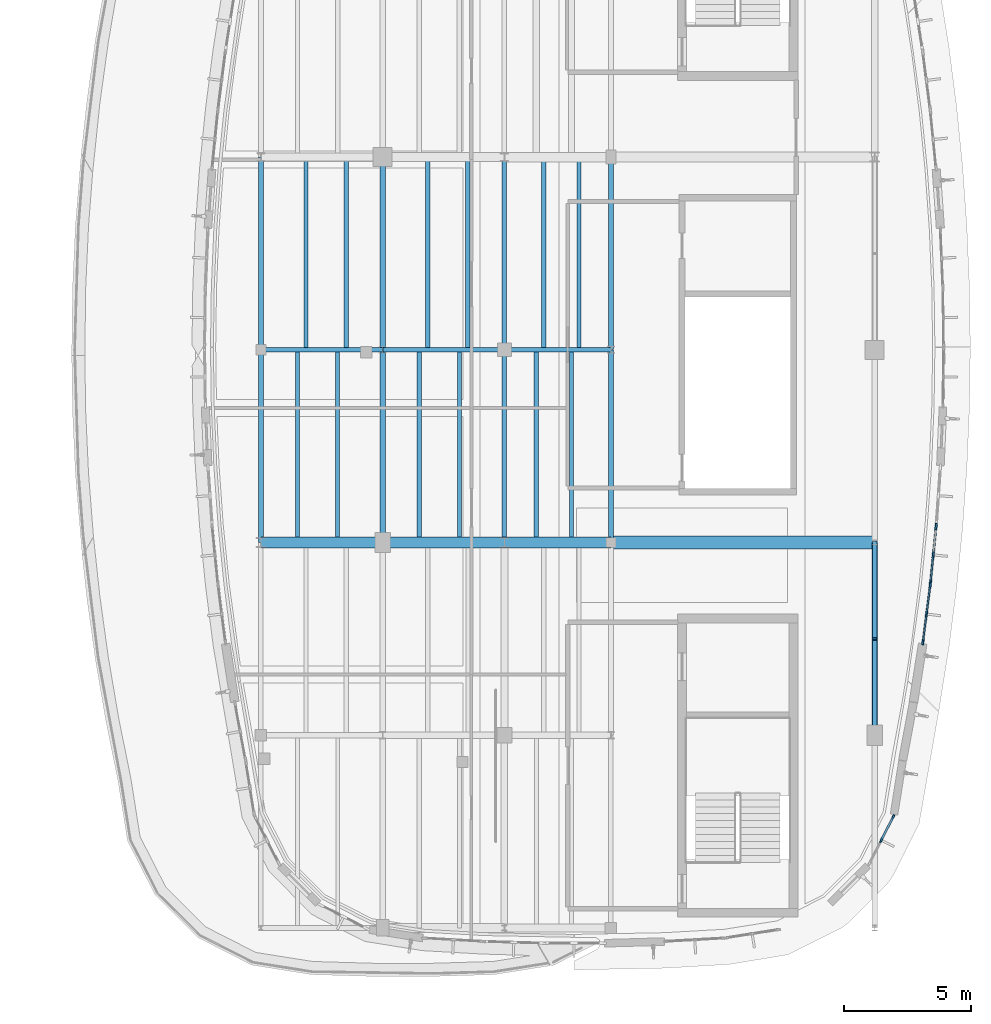
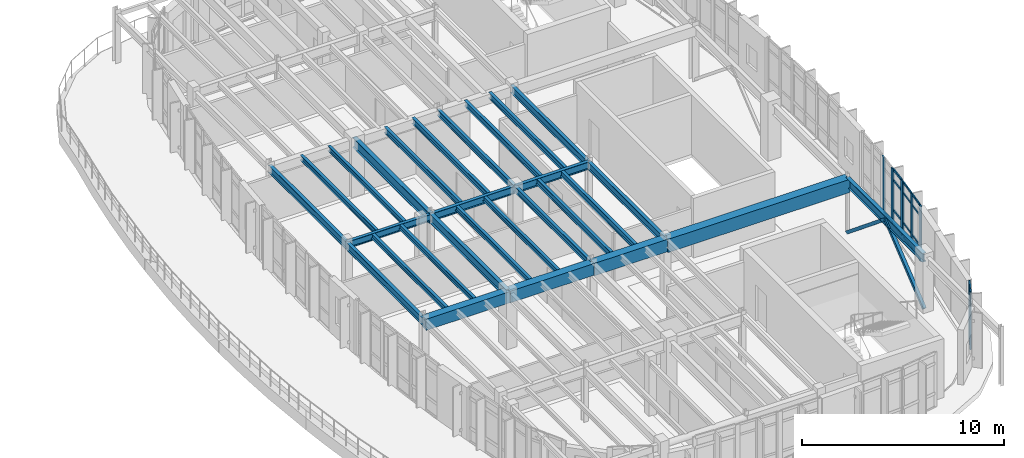
# One storey, part 10 of 30: 28 beams, 27 members, 3 elements without a shape of their own.
"""IFC4 building model written with IfcOpenShell, lengths in metres."""

from ifc_helpers import new_model, si_unit, direction, frame, origin, origin_2d, place, context, subcontext, project, spatial, rectangle, hollow_rectangle, i_section, extrude, material, material_profile, profile_set, type_object, element, aggregate, save


model = new_model("IFC4")

# Units and contexts
model_context = context("Model", 3, precision=1e-05, world=origin(), true_north=direction((0.0, 1.0)))
body_context = subcontext(model_context, "Body", "Model", "MODEL_VIEW")
ifc_project = project(units=[si_unit("LENGTHUNIT", "METRE"), si_unit("AREAUNIT", "SQUARE_METRE"), si_unit("VOLUMEUNIT", "CUBIC_METRE"), si_unit("PLANEANGLEUNIT", "RADIAN"), si_unit("MASSUNIT", "GRAM", prefix="KILO")], contexts=[model_context])

# Site, building, storey
site_placement = place(None, origin())
site = spatial("IfcSite", under=ifc_project, at=site_placement, CompositionType="ELEMENT")
building_placement = place(site_placement, origin())
building = spatial("IfcBuilding", under=site, at=building_placement, Name="Corveleigh Park Community Centre", CompositionType="ELEMENT")
storey_placement = place(building_placement, frame((0.0, 0.0, 12.60009765625)))
storey = spatial("IfcBuildingStorey", under=building, at=storey_placement, Name="L03", CompositionType="ELEMENT", Elevation=12.60009765625)

# Beams
ifc_material_1 = material(Name="Concrete C40/50", Category="concrete")
ifc_material_profile_1 = material_profile(ifc_material_1, rectangle(XDim=0.425048828125, YDim=0.675048828125, at=origin_2d()), Name="RC-425x675", Category="concrete")
ifc_profile_set_1 = profile_set([ifc_material_profile_1], Name="Concrete C40/50")
beam_type_1 = type_object("IfcBeamType", Name="BM-RC-425x675", PredefinedType="BEAM", material=ifc_profile_set_1)
beam_1_placement = place(storey_placement, frame((144.205078125, 73.800048828125, 2.99951171875), z_axis=(1.0, 0.0, 0.0), x_axis=(0.0, 1.0, 0.0)))
element("IfcBeam", 1, at=beam_1_placement, inside=storey, type_object=beam_type_1, Name="V4 Girder X", PredefinedType="BEAM", context=body_context, shape_type="SweptSolid", body=[
    extrude(rectangle(XDim=0.425048828125, YDim=0.675048828125, at=origin_2d()), origin(), (0.0, 0.0, 1.0), 4.7900390625),
])
ifc_material_profile_2 = material_profile(ifc_material_1, rectangle(XDim=0.449951171875, YDim=0.699951171875, at=origin_2d()), Name="RC-450x700", Category="concrete")
ifc_profile_set_2 = profile_set([ifc_material_profile_2], Name="Concrete C40/50")
beam_type_2 = type_object("IfcBeamType", Name="BM-RC-450x700", PredefinedType="BEAM", material=ifc_profile_set_2)
beam_2_placement = place(storey_placement, frame((149.0048828125, 73.800048828125, 3.0068359375), z_axis=(1.0, 0.0, 0.0), x_axis=(0.0, 1.0, 0.0)))
element("IfcBeam", 2, at=beam_2_placement, inside=storey, type_object=beam_type_2, Name="V4 Girder X", PredefinedType="BEAM", context=body_context, shape_type="SweptSolid", body=[
    extrude(rectangle(XDim=0.449951171875, YDim=0.699951171875, at=origin_2d()), origin(), (0.0, 0.0, 1.0), 4.7900390625),
])
ifc_material_profile_3 = material_profile(ifc_material_1, rectangle(XDim=0.449951171875, YDim=0.75, at=origin_2d()), Name="RC-450x750", Category="concrete")
ifc_profile_set_3 = profile_set([ifc_material_profile_3], Name="Concrete C40/50")
beam_type_3 = type_object("IfcBeamType", Name="BM-RC-450x750", PredefinedType="BEAM", material=ifc_profile_set_3)
beam_3_placement = place(storey_placement, frame((153.804931640625, 73.800048828125, 2.98193359375), z_axis=(1.0, 0.0, 0.0), x_axis=(0.0, 1.0, 0.0)))
element("IfcBeam", 3, at=beam_3_placement, inside=storey, type_object=beam_type_3, Name="V4 Girder X", PredefinedType="BEAM", context=body_context, shape_type="SweptSolid", body=[
    extrude(rectangle(XDim=0.449951171875, YDim=0.75, at=origin_2d()), origin(), (0.0, 0.0, 1.0), 4.190185546875),
])
ifc_material_profile_4 = material_profile(ifc_material_1, rectangle(XDim=0.5, YDim=0.800048828125, at=origin_2d()), Name="RC-500x800", Category="concrete")
ifc_profile_set_4 = profile_set([ifc_material_profile_4], Name="Concrete C40/50")
beam_type_4 = type_object("IfcBeamType", Name="BM-RC-500x800", PredefinedType="BEAM", material=ifc_profile_set_4)
beam_4_placement = place(storey_placement, frame((158.0048828125, 73.800048828125, 2.956787109375), z_axis=(1.0, 0.0, 0.0), x_axis=(0.0, 1.0, 0.0)))
element("IfcBeam", 4, at=beam_4_placement, inside=storey, type_object=beam_type_4, Name="V4 Girder X", PredefinedType="BEAM", context=body_context, shape_type="SweptSolid", body=[
    extrude(rectangle(XDim=0.5, YDim=0.800048828125, at=origin_2d()), origin(), (0.0, 0.0, 1.0), 10.39013671875),
])
ifc_material_2 = material(Name="Steel S355", Category="steel")
ifc_material_profile_5 = material_profile(ifc_material_2, i_section(OverallWidth=0.165771484375, OverallDepth=0.306640625, WebThickness=0.006591796875, FlangeThickness=0.01171875, at=origin_2d()), Name="UKB 305x165x46", Category="steel")
ifc_profile_set_5 = profile_set([ifc_material_profile_5], Name="Steel S355")
beam_type_5 = type_object("IfcBeamType", Name="BM-STL-UKB305x46", PredefinedType="JOIST", material=ifc_profile_set_5)
for number, where, z_axis, x_axis, name in (
    (5, (145.639892578125, 73.804931640625, 3.18359375), (0.0, 1.0, 0.0), (-1.0, 0.0, 0.0), "Secondary floor joist"),
    (6, (147.22412109375, 73.804931640625, 3.18359375), (0.0, 1.0, 0.0), (-1.0, 0.0, 0.0), "Secondary floor joist"),
):
    element("IfcBeam", number, at=place(storey_placement, frame(where, z_axis=z_axis, x_axis=x_axis)), inside=storey, type_object=beam_type_5, Name=name, PredefinedType="JOIST", context=body_context, shape_type="SweptSolid", body=[
        extrude(i_section(OverallWidth=0.165771484375, OverallDepth=0.306640625, WebThickness=0.006591796875, FlangeThickness=0.01171875, at=origin_2d()), origin(), (0.0, 0.0, 1.0), 7.590087890625),
    ])
ifc_material_profile_6 = material_profile(ifc_material_2, i_section(OverallWidth=0.1669921875, OverallDepth=0.310302734375, WebThickness=0.0078125, FlangeThickness=0.013671875, at=origin_2d()), Name="UKB 305x165x54", Category="steel")
ifc_profile_set_6 = profile_set([ifc_material_profile_6], Name="Steel S355")
beam_type_6 = type_object("IfcBeamType", Name="BM-STL-UKB305x54", PredefinedType="JOIST", material=ifc_profile_set_6)
for number, where, z_axis, x_axis, name in (
    (7, (145.97607421875, 81.405029296875, 3.181640625), (0.0, 1.0, 0.0), (-1.0, 0.0, 0.0), "Secondary floor joist"),
    (8, (147.56005859375, 81.405029296875, 3.181640625), (0.0, 1.0, 0.0), (-1.0, 0.0, 0.0), "Secondary floor joist"),
    (9, (150.43994140625, 73.804931640625, 3.20166015625), (0.0, 1.0, 0.0), (-1.0, 0.0, 0.0), "Secondary floor joist"),
    (10, (152.02392578125, 73.804931640625, 3.20166015625), (0.0, 1.0, 0.0), (-1.0, 0.0, 0.0), "Secondary floor joist"),
):
    element("IfcBeam", number, at=place(storey_placement, frame(where, z_axis=z_axis, x_axis=x_axis)), inside=storey, type_object=beam_type_6, Name=name, PredefinedType="JOIST", context=body_context, shape_type="SweptSolid", body=[
        extrude(i_section(OverallWidth=0.1669921875, OverallDepth=0.310302734375, WebThickness=0.0078125, FlangeThickness=0.013671875, at=origin_2d()), origin(), (0.0, 0.0, 1.0), 7.590087890625),
    ])
ifc_material_profile_7 = material_profile(ifc_material_2, i_section(OverallWidth=0.171142578125, OverallDepth=0.351318359375, WebThickness=0.007080078125, FlangeThickness=0.009765625, at=origin_2d()), Name="UKB 356x171x45", Category="steel")
ifc_profile_set_7 = profile_set([ifc_material_profile_7], Name="Steel S355")
beam_type_7 = type_object("IfcBeamType", Name="BM-STL-UKB356x45", PredefinedType="JOIST", material=ifc_profile_set_7)
for number, where, z_axis, x_axis, name in (
    (11, (150.77587890625, 81.405029296875, 3.18115234375), (0.0, 1.0, 0.0), (-1.0, 0.0, 0.0), "Secondary floor joist"),
    (12, (152.360107421875, 81.405029296875, 3.18115234375), (0.0, 1.0, 0.0), (-1.0, 0.0, 0.0), "Secondary floor joist"),
    (13, (155.06005859375, 73.804931640625, 3.18115234375), (0.0, 1.0, 0.0), (-1.0, 0.0, 0.0), "Secondary floor joist"),
    (14, (156.446044921875, 73.804931640625, 3.18115234375), (0.0, 1.0, 0.0), (-1.0, 0.0, 0.0), "Secondary floor joist"),
):
    element("IfcBeam", number, at=place(storey_placement, frame(where, z_axis=z_axis, x_axis=x_axis)), inside=storey, type_object=beam_type_7, Name=name, PredefinedType="JOIST", context=body_context, shape_type="SweptSolid", body=[
        extrude(i_section(OverallWidth=0.171142578125, OverallDepth=0.351318359375, WebThickness=0.007080078125, FlangeThickness=0.009765625, at=origin_2d()), origin(), (0.0, 0.0, 1.0), 7.590087890625),
    ])
ifc_material_profile_8 = material_profile(ifc_material_2, i_section(OverallWidth=0.17138671875, OverallDepth=0.35498046875, WebThickness=0.00732421875, FlangeThickness=0.011474609375, at=origin_2d()), Name="UKB 356x171x51", Category="steel")
ifc_profile_set_8 = profile_set([ifc_material_profile_8], Name="Steel S355")
beam_type_8 = type_object("IfcBeamType", Name="BM-STL-UKB356x51", PredefinedType="JOIST", material=ifc_profile_set_8)
for number, where, z_axis, x_axis, name in (
    (15, (155.35400390625, 81.405029296875, 3.179443359375), (0.0, 1.0, 0.0), (-1.0, 0.0, 0.0), "Secondary floor joist"),
    (16, (156.739990234375, 81.405029296875, 3.179443359375), (0.0, 1.0, 0.0), (-1.0, 0.0, 0.0), "Secondary floor joist"),
):
    element("IfcBeam", number, at=place(storey_placement, frame(where, z_axis=z_axis, x_axis=x_axis)), inside=storey, type_object=beam_type_8, Name=name, PredefinedType="JOIST", context=body_context, shape_type="SweptSolid", body=[
        extrude(i_section(OverallWidth=0.17138671875, OverallDepth=0.35498046875, WebThickness=0.00732421875, FlangeThickness=0.011474609375, at=origin_2d()), origin(), (0.0, 0.0, 1.0), 7.590087890625),
    ])
ifc_material_profile_9 = material_profile(ifc_material_2, i_section(OverallWidth=0.172119140625, OverallDepth=0.35791015625, WebThickness=0.008056640625, FlangeThickness=0.012939453125, at=origin_2d()), Name="UKB 356x171x57", Category="steel")
ifc_profile_set_9 = profile_set([ifc_material_profile_9], Name="Steel S355")
beam_type_9 = type_object("IfcBeamType", Name="BM-STL-UKB356x57", PredefinedType="BEAM", material=ifc_profile_set_9)
beam_5_placement = place(storey_placement, frame((153.800048828125, 73.804931640625, 3.177978515625), z_axis=(0.0, 1.0, 0.0), x_axis=(-1.0, 0.0, 0.0)))
element("IfcBeam", 17, at=beam_5_placement, inside=storey, type_object=beam_type_9, Name="V4 Girder Y", PredefinedType="BEAM", context=body_context, shape_type="SweptSolid", body=[
    extrude(i_section(OverallWidth=0.172119140625, OverallDepth=0.35791015625, WebThickness=0.008056640625, FlangeThickness=0.012939453125, at=origin_2d()), origin(), (0.0, 0.0, 1.0), 7.590087890625),
])
ifc_material_profile_10 = material_profile(ifc_material_2, i_section(OverallWidth=0.173095703125, OverallDepth=0.36328125, WebThickness=0.009033203125, FlangeThickness=0.015625, at=origin_2d()), Name="UKB 356x171x67", Category="steel")
ifc_profile_set_10 = profile_set([ifc_material_profile_10], Name="Steel S355")
beam_type_10 = type_object("IfcBeamType", Name="BM-STL-UKB356x67", PredefinedType="BEAM", material=ifc_profile_set_10)
beam_6_placement = place(storey_placement, frame((153.800048828125, 81.405029296875, 3.17529296875), z_axis=(0.0, 1.0, 0.0), x_axis=(-1.0, 0.0, 0.0)))
element("IfcBeam", 18, at=beam_6_placement, inside=storey, type_object=beam_type_10, Name="V4 Girder Y", PredefinedType="BEAM", context=body_context, shape_type="SweptSolid", body=[
    extrude(i_section(OverallWidth=0.173095703125, OverallDepth=0.36328125, WebThickness=0.009033203125, FlangeThickness=0.015625, at=origin_2d()), origin(), (0.0, 0.0, 1.0), 7.590087890625),
])
ifc_material_profile_11 = material_profile(ifc_material_2, i_section(OverallWidth=0.179443359375, OverallDepth=0.412841796875, WebThickness=0.009521484375, FlangeThickness=0.01611328125, at=origin_2d()), Name="UKB 406x178x74", Category="steel")
ifc_profile_set_11 = profile_set([ifc_material_profile_11], Name="Steel S355")
beam_type_11 = type_object("IfcBeamType", Name="BM-STL-UKB406x74", PredefinedType="BEAM", material=ifc_profile_set_11)
beam_7_placement = place(storey_placement, frame((144.205078125, 81.39990234375, 3.130615234375), z_axis=(1.0, 0.0, 0.0), x_axis=(0.0, 1.0, 0.0)))
element("IfcBeam", 19, at=beam_7_placement, inside=storey, type_object=beam_type_11, Name="V4 Girder X", PredefinedType="BEAM", context=body_context, shape_type="SweptSolid", body=[
    extrude(i_section(OverallWidth=0.179443359375, OverallDepth=0.412841796875, WebThickness=0.009521484375, FlangeThickness=0.01611328125, at=origin_2d()), origin(), (0.0, 0.0, 1.0), 4.7900390625),
])
ifc_material_profile_12 = material_profile(ifc_material_2, i_section(OverallWidth=0.18994140625, OverallDepth=0.453369140625, WebThickness=0.008544921875, FlangeThickness=0.0126953125, at=origin_2d()), Name="UKB 457x191x67", Category="steel")
ifc_profile_set_12 = profile_set([ifc_material_profile_12], Name="Steel S355")
beam_type_12 = type_object("IfcBeamType", Name="BM-STL-UKB457x67", PredefinedType="BEAM", material=ifc_profile_set_12)
beam_8_placement = place(storey_placement, frame((149.0048828125, 81.39990234375, 3.130126953125), z_axis=(1.0, 0.0, 0.0), x_axis=(0.0, 1.0, 0.0)))
element("IfcBeam", 20, at=beam_8_placement, inside=storey, type_object=beam_type_12, Name="V4 Girder X", PredefinedType="BEAM", context=body_context, shape_type="SweptSolid", body=[
    extrude(i_section(OverallWidth=0.18994140625, OverallDepth=0.453369140625, WebThickness=0.008544921875, FlangeThickness=0.0126953125, at=origin_2d()), origin(), (0.0, 0.0, 1.0), 4.7900390625),
])
beam_9_placement = place(storey_placement, frame((144.199951171875, 73.804931640625, 3.110107421875), z_axis=(0.0, 1.0, 0.0), x_axis=(-1.0, 0.0, 0.0)))
element("IfcBeam", 21, at=beam_9_placement, inside=storey, type_object=beam_type_12, Name="V4 Girder Y", PredefinedType="BEAM", context=body_context, shape_type="SweptSolid", body=[
    extrude(i_section(OverallWidth=0.18994140625, OverallDepth=0.453369140625, WebThickness=0.008544921875, FlangeThickness=0.0126953125, at=origin_2d()), origin(), (0.0, 0.0, 1.0), 7.590087890625),
])
ifc_material_profile_13 = material_profile(ifc_material_2, i_section(OverallWidth=0.1904296875, OverallDepth=0.45703125, WebThickness=0.009033203125, FlangeThickness=0.014404296875, at=origin_2d()), Name="UKB 457x191x74", Category="steel")
ifc_profile_set_13 = profile_set([ifc_material_profile_13], Name="Steel S355")
beam_type_13 = type_object("IfcBeamType", Name="BM-STL-UKB457x74", PredefinedType="BEAM", material=ifc_profile_set_13)
beam_10_placement = place(storey_placement, frame((153.804931640625, 81.39990234375, 3.12841796875), z_axis=(1.0, 0.0, 0.0), x_axis=(0.0, 1.0, 0.0)))
element("IfcBeam", 22, at=beam_10_placement, inside=storey, type_object=beam_type_13, Name="V4 Girder X", PredefinedType="BEAM", context=body_context, shape_type="SweptSolid", body=[
    extrude(i_section(OverallWidth=0.1904296875, OverallDepth=0.45703125, WebThickness=0.009033203125, FlangeThickness=0.014404296875, at=origin_2d()), origin(), (0.0, 0.0, 1.0), 4.190185546875),
])
for number, where, z_axis, x_axis, name in (
    (23, (144.199951171875, 81.405029296875, 3.1083984375), (0.0, 1.0, 0.0), (-1.0, 0.0, 0.0), "V4 Girder Y"),
    (24, (158.0, 73.804931640625, 3.12841796875), (0.0, 1.0, 0.0), (-1.0, 0.0, 0.0), "V4 Girder Y"),
):
    element("IfcBeam", number, at=place(storey_placement, frame(where, z_axis=z_axis, x_axis=x_axis)), inside=storey, type_object=beam_type_13, Name=name, PredefinedType="BEAM", context=body_context, shape_type="SweptSolid", body=[
        extrude(i_section(OverallWidth=0.1904296875, OverallDepth=0.45703125, WebThickness=0.009033203125, FlangeThickness=0.014404296875, at=origin_2d()), origin(), (0.0, 0.0, 1.0), 7.590087890625),
    ])
ifc_material_profile_14 = material_profile(ifc_material_2, i_section(OverallWidth=0.19140625, OverallDepth=0.4599609375, WebThickness=0.010009765625, FlangeThickness=0.01611328125, at=origin_2d()), Name="UKB 457x191x82", Category="steel")
ifc_profile_set_14 = profile_set([ifc_material_profile_14], Name="Steel S355")
beam_type_14 = type_object("IfcBeamType", Name="BM-STL-UKB457x82", PredefinedType="BEAM", material=ifc_profile_set_14)
beam_11_placement = place(storey_placement, frame((158.0, 81.405029296875, 3.126953125), z_axis=(0.0, 1.0, 0.0), x_axis=(-1.0, 0.0, 0.0)))
element("IfcBeam", 25, at=beam_11_placement, inside=storey, type_object=beam_type_14, Name="V4 Girder Y", PredefinedType="BEAM", context=body_context, shape_type="SweptSolid", body=[
    extrude(i_section(OverallWidth=0.19140625, OverallDepth=0.4599609375, WebThickness=0.010009765625, FlangeThickness=0.01611328125, at=origin_2d()), origin(), (0.0, 0.0, 1.0), 7.590087890625),
])
ifc_material_profile_15 = material_profile(ifc_material_2, i_section(OverallWidth=0.210693359375, OverallDepth=0.53955078125, WebThickness=0.01171875, FlangeThickness=0.018798828125, at=origin_2d()), Name="UKB 533x210x109", Category="steel")
ifc_profile_set_15 = profile_set([ifc_material_profile_15], Name="Steel S355")
beam_type_15 = type_object("IfcBeamType", Name="BM-STL-UKB533x109", PredefinedType="BEAM", material=ifc_profile_set_15)
beam_12_placement = place(storey_placement, frame((149.0, 73.804931640625, 3.087158203125), z_axis=(0.0, 1.0, 0.0), x_axis=(-1.0, 0.0, 0.0)))
element("IfcBeam", 26, at=beam_12_placement, inside=storey, type_object=beam_type_15, Name="V4 Girder Y", PredefinedType="BEAM", context=body_context, shape_type="SweptSolid", body=[
    extrude(i_section(OverallWidth=0.210693359375, OverallDepth=0.53955078125, WebThickness=0.01171875, FlangeThickness=0.018798828125, at=origin_2d()), origin(), (0.0, 0.0, 1.0), 7.590087890625),
])
beam_13_placement = place(storey_placement, frame((168.39990234375, 66.205078125, 3.087158203125), z_axis=(0.0, 1.0, 0.0), x_axis=(-1.0, 0.0, 0.0)))
element("IfcBeam", 27, at=beam_13_placement, inside=storey, type_object=beam_type_15, Name="V4 Girder Y", PredefinedType="BEAM", context=body_context, shape_type="SweptSolid", body=[
    extrude(i_section(OverallWidth=0.210693359375, OverallDepth=0.53955078125, WebThickness=0.01171875, FlangeThickness=0.018798828125, at=origin_2d()), origin(), (0.0, 0.0, 1.0), 7.58984375),
])
ifc_material_profile_16 = material_profile(ifc_material_2, i_section(OverallWidth=0.228271484375, OverallDepth=0.607666015625, WebThickness=0.010986328125, FlangeThickness=0.017333984375, at=origin_2d()), Name="UKB 610x229x113", Category="steel")
ifc_profile_set_16 = profile_set([ifc_material_profile_16], Name="Steel S355")
beam_type_16 = type_object("IfcBeamType", Name="BM-STL-UKB610x113", PredefinedType="BEAM", material=ifc_profile_set_16)
beam_14_placement = place(storey_placement, frame((149.0, 81.405029296875, 3.05322265625), z_axis=(0.0, 1.0, 0.0), x_axis=(-1.0, 0.0, 0.0)))
element("IfcBeam", 28, at=beam_14_placement, inside=storey, type_object=beam_type_16, Name="V4 Girder Y", PredefinedType="BEAM", context=body_context, shape_type="SweptSolid", body=[
    extrude(i_section(OverallWidth=0.228271484375, OverallDepth=0.607666015625, WebThickness=0.010986328125, FlangeThickness=0.017333984375, at=origin_2d()), origin(), (0.0, 0.0, 1.0), 7.590087890625),
])

# Curtain wall, members
ifc_material_3 = material(Name="Anodised aluminium 6063-T6", Category="aluminium")
curtain_wall_type = type_object("IfcCurtainWallType", Name="CW-SYS-V4-L03", PredefinedType="NOTDEFINED", material=ifc_material_3)
curtain_wall_1_placement = place(storey_placement, origin())
curtain_wall_1 = element("IfcCurtainWall", 29, at=curtain_wall_1_placement, inside=storey, type_object=curtain_wall_type, Name="V4 L03 Curtain Wall 405", PredefinedType="NOTDEFINED")
ifc_material_profile_17 = material_profile(ifc_material_3, rectangle(XDim=0.070068359375, YDim=0.199951171875, at=origin_2d()), Name="ALU-M70x200", Category="aluminium")
ifc_profile_set_17 = profile_set([ifc_material_profile_17], Name="Anodised aluminium 6063-T6")
member_type_1 = type_object("IfcMemberType", Name="CWM-70x200", PredefinedType="MULLION", material=ifc_profile_set_17)
member_1_placement = place(storey_placement, frame((169.1240234375, 62.971923828125, 0.0), z_axis=(0.0, 0.0, 1.0), x_axis=(0.890898639119, -0.454202173945, 0.0)))
member_1 = element("IfcMember", 30, at=member_1_placement, type_object=member_type_1, Name="CW09 mullion 1", PredefinedType="MULLION", context=body_context, shape_type="SweptSolid", body=[
    extrude(rectangle(XDim=0.070068359375, YDim=0.199951171875, at=origin_2d()), origin(), (0.0, 0.0, 1.0), 3.35693359375),
])
member_2_placement = place(storey_placement, frame((168.659912109375, 62.0615234375, 0.0), z_axis=(0.0, 0.0, 1.0), x_axis=(0.890898639119, -0.454202173945, 0.0)))
member_2 = element("IfcMember", 31, at=member_2_placement, type_object=member_type_1, Name="CW09 mullion 2", PredefinedType="MULLION", context=body_context, shape_type="SweptSolid", body=[
    extrude(rectangle(XDim=0.070068359375, YDim=0.199951171875, at=origin_2d()), origin(), (0.0, 0.0, 1.0), 3.35693359375),
])

curtain_wall_2_placement = place(storey_placement, origin())
curtain_wall_2 = element("IfcCurtainWall", 32, at=curtain_wall_2_placement, inside=storey, type_object=curtain_wall_type, Name="V4 L03 Curtain Wall 406", PredefinedType="NOTDEFINED")
ifc_material_profile_18 = material_profile(ifc_material_3, rectangle(XDim=0.074951171875, YDim=0.219970703125, at=origin_2d()), Name="ALU-M75x220", Category="aluminium")
ifc_profile_set_18 = profile_set([ifc_material_profile_18], Name="Anodised aluminium 6063-T6")
member_type_2 = type_object("IfcMemberType", Name="CWM-75x220", PredefinedType="MULLION", material=ifc_profile_set_18)
member_3_placement = place(storey_placement, frame((170.587158203125, 72.097900390625, 0.0), z_axis=(0.0, 0.0, 1.0), x_axis=(0.991869145489, -0.127261927639, 0.0)))
member_3 = element("IfcMember", 33, at=member_3_placement, type_object=member_type_2, Name="CW09 mullion 1", PredefinedType="MULLION", context=body_context, shape_type="SweptSolid", body=[
    extrude(rectangle(XDim=0.074951171875, YDim=0.219970703125, at=origin_2d()), origin(), (0.0, 0.0, 1.0), 3.35693359375),
])
member_4_placement = place(storey_placement, frame((170.444091796875, 70.9814453125, 0.0), z_axis=(0.0, 0.0, 1.0), x_axis=(0.991869145489, -0.127261927639, 0.0)))
member_4 = element("IfcMember", 34, at=member_4_placement, type_object=member_type_2, Name="CW09 mullion 2", PredefinedType="MULLION", context=body_context, shape_type="SweptSolid", body=[
    extrude(rectangle(XDim=0.074951171875, YDim=0.219970703125, at=origin_2d()), origin(), (0.0, 0.0, 1.0), 3.35693359375),
])
member_5_placement = place(storey_placement, frame((170.30078125, 69.865234375, 0.0), z_axis=(0.0, 0.0, 1.0), x_axis=(0.991869145489, -0.127261927639, 0.0)))
member_5 = element("IfcMember", 35, at=member_5_placement, type_object=member_type_2, Name="CW09 mullion 3", PredefinedType="MULLION", context=body_context, shape_type="SweptSolid", body=[
    extrude(rectangle(XDim=0.074951171875, YDim=0.219970703125, at=origin_2d()), origin(), (0.0, 0.0, 1.0), 3.35693359375),
])

curtain_wall_3_placement = place(storey_placement, origin())
curtain_wall_3 = element("IfcCurtainWall", 36, at=curtain_wall_3_placement, inside=storey, type_object=curtain_wall_type, Name="V4 L03 Curtain Wall 407", PredefinedType="NOTDEFINED")
ifc_material_profile_19 = material_profile(ifc_material_3, rectangle(XDim=0.080078125, YDim=0.25, at=origin_2d()), Name="ALU-M80x250", Category="aluminium")
ifc_profile_set_19 = profile_set([ifc_material_profile_19], Name="Anodised aluminium 6063-T6")
member_type_3 = type_object("IfcMemberType", Name="CWM-80x250", PredefinedType="MULLION", material=ifc_profile_set_19)
member_6_placement = place(storey_placement, frame((170.821044921875, 74.42822265625, 0.0), z_axis=(0.0, 0.0, 1.0), x_axis=(0.995058446213, -0.09929092919, 0.0)))
member_6 = element("IfcMember", 37, at=member_6_placement, type_object=member_type_3, Name="CW09 mullion 1", PredefinedType="MULLION", context=body_context, shape_type="SweptSolid", body=[
    extrude(rectangle(XDim=0.080078125, YDim=0.25, at=origin_2d()), origin(), (0.0, 0.0, 1.0), 3.35693359375),
])
member_7_placement = place(storey_placement, frame((170.70947265625, 73.310546875, 0.0), z_axis=(0.0, 0.0, 1.0), x_axis=(0.995058446213, -0.09929092919, 0.0)))
member_7 = element("IfcMember", 38, at=member_7_placement, type_object=member_type_3, Name="CW09 mullion 2", PredefinedType="MULLION", context=body_context, shape_type="SweptSolid", body=[
    extrude(rectangle(XDim=0.080078125, YDim=0.25, at=origin_2d()), origin(), (0.0, 0.0, 1.0), 3.35693359375),
])
member_8_placement = place(storey_placement, frame((170.597900390625, 72.19287109375, 0.0), z_axis=(0.0, 0.0, 1.0), x_axis=(0.995058446213, -0.09929092919, 0.0)))
member_8 = element("IfcMember", 39, at=member_8_placement, type_object=member_type_3, Name="CW09 mullion 3", PredefinedType="MULLION", context=body_context, shape_type="SweptSolid", body=[
    extrude(rectangle(XDim=0.080078125, YDim=0.25, at=origin_2d()), origin(), (0.0, 0.0, 1.0), 3.35693359375),
])

# Member
ifc_material_profile_20 = material_profile(ifc_material_3, rectangle(XDim=0.06005859375, YDim=0.1201171875, at=origin_2d()), Name="ALU-T60x120", Category="aluminium")
ifc_profile_set_20 = profile_set([ifc_material_profile_20], Name="Anodised aluminium 6063-T6")
member_type_4 = type_object("IfcMemberType", Name="CWT-60x120", PredefinedType="USERDEFINED", material=ifc_profile_set_20)
member_9_placement = place(storey_placement, frame((170.58251953125, 72.060546875, 0.02978515625), z_axis=(-0.127381274042, -0.991853825432, 0.0), x_axis=(0.991853825432, -0.127381274042, 0.0)))
member_9 = element("IfcMember", 40, at=member_9_placement, type_object=member_type_4, Name="CW09 transom 1.1", ObjectType="TRANSOM", PredefinedType="USERDEFINED", context=body_context, shape_type="SweptSolid", body=[
    extrude(rectangle(XDim=0.06005859375, YDim=0.1201171875, at=origin_2d()), origin(), (0.0, 0.0, 1.0), 1.05029296875),
])

member_10_placement = place(storey_placement, frame((170.58251953125, 72.060546875, 0.89990234375), z_axis=(-0.127381274042, -0.991853825432, 0.0), x_axis=(0.991853825432, -0.127381274042, 0.0)))
member_10 = element("IfcMember", 41, at=member_10_placement, type_object=member_type_4, Name="CW09 transom 1.2", ObjectType="TRANSOM", PredefinedType="USERDEFINED", context=body_context, shape_type="SweptSolid", body=[
    extrude(rectangle(XDim=0.06005859375, YDim=0.1201171875, at=origin_2d()), origin(), (0.0, 0.0, 1.0), 1.05029296875),
])

member_11_placement = place(storey_placement, frame((170.58251953125, 72.060546875, 2.706787109375), z_axis=(-0.127381274042, -0.991853825432, 0.0), x_axis=(0.991853825432, -0.127381274042, 0.0)))
member_11 = element("IfcMember", 42, at=member_11_placement, type_object=member_type_4, Name="CW09 transom 1.3", ObjectType="TRANSOM", PredefinedType="USERDEFINED", context=body_context, shape_type="SweptSolid", body=[
    extrude(rectangle(XDim=0.06005859375, YDim=0.1201171875, at=origin_2d()), origin(), (0.0, 0.0, 1.0), 1.05029296875),
])

member_12_placement = place(storey_placement, frame((170.58251953125, 72.060546875, 3.326904296875), z_axis=(-0.127381274042, -0.991853825432, 0.0), x_axis=(0.991853825432, -0.127381274042, 0.0)))
member_12 = element("IfcMember", 43, at=member_12_placement, type_object=member_type_4, Name="CW09 transom 1.4", ObjectType="TRANSOM", PredefinedType="USERDEFINED", context=body_context, shape_type="SweptSolid", body=[
    extrude(rectangle(XDim=0.06005859375, YDim=0.1201171875, at=origin_2d()), origin(), (0.0, 0.0, 1.0), 1.05029296875),
])

member_13_placement = place(storey_placement, frame((170.439208984375, 70.9443359375, 0.02978515625), z_axis=(-0.12712327743, -0.991886925176, 0.0), x_axis=(0.991886925176, -0.12712327743, 0.0)))
member_13 = element("IfcMember", 44, at=member_13_placement, type_object=member_type_4, Name="CW09 transom 2.1", ObjectType="TRANSOM", PredefinedType="USERDEFINED", context=body_context, shape_type="SweptSolid", body=[
    extrude(rectangle(XDim=0.06005859375, YDim=0.1201171875, at=origin_2d()), origin(), (0.0, 0.0, 1.0), 1.050537109375),
])

member_14_placement = place(storey_placement, frame((170.439208984375, 70.9443359375, 0.89990234375), z_axis=(-0.12712327743, -0.991886925176, 0.0), x_axis=(0.991886925176, -0.12712327743, 0.0)))
member_14 = element("IfcMember", 45, at=member_14_placement, type_object=member_type_4, Name="CW09 transom 2.2", ObjectType="TRANSOM", PredefinedType="USERDEFINED", context=body_context, shape_type="SweptSolid", body=[
    extrude(rectangle(XDim=0.06005859375, YDim=0.1201171875, at=origin_2d()), origin(), (0.0, 0.0, 1.0), 1.050537109375),
])

member_15_placement = place(storey_placement, frame((170.439208984375, 70.9443359375, 2.706787109375), z_axis=(-0.12712327743, -0.991886925176, 0.0), x_axis=(0.991886925176, -0.12712327743, 0.0)))
member_15 = element("IfcMember", 46, at=member_15_placement, type_object=member_type_4, Name="CW09 transom 2.3", ObjectType="TRANSOM", PredefinedType="USERDEFINED", context=body_context, shape_type="SweptSolid", body=[
    extrude(rectangle(XDim=0.06005859375, YDim=0.1201171875, at=origin_2d()), origin(), (0.0, 0.0, 1.0), 1.050537109375),
])

member_16_placement = place(storey_placement, frame((170.439208984375, 70.9443359375, 3.326904296875), z_axis=(-0.12712327743, -0.991886925176, 0.0), x_axis=(0.991886925176, -0.12712327743, 0.0)))
member_16 = element("IfcMember", 47, at=member_16_placement, type_object=member_type_4, Name="CW09 transom 2.4", ObjectType="TRANSOM", PredefinedType="USERDEFINED", context=body_context, shape_type="SweptSolid", body=[
    extrude(rectangle(XDim=0.06005859375, YDim=0.1201171875, at=origin_2d()), origin(), (0.0, 0.0, 1.0), 1.050537109375),
])

aggregate(curtain_wall_2, [member_3, member_4, member_5, member_9, member_10, member_11, member_12, member_13, member_14, member_15, member_16])

ifc_material_profile_21 = material_profile(ifc_material_3, rectangle(XDim=0.06494140625, YDim=0.139892578125, at=origin_2d()), Name="ALU-T65x140", Category="aluminium")
ifc_profile_set_21 = profile_set([ifc_material_profile_21], Name="Anodised aluminium 6063-T6")
member_type_5 = type_object("IfcMemberType", Name="CWT-65x140", PredefinedType="USERDEFINED", material=ifc_profile_set_21)
member_17_placement = place(storey_placement, frame((170.817138671875, 74.388427734375, 0.032470703125), z_axis=(-0.099457378841, -0.995041823138, 0.0), x_axis=(0.995041823138, -0.099457378841, 0.0)))
member_17 = element("IfcMember", 48, at=member_17_placement, type_object=member_type_5, Name="CW09 transom 1.1", ObjectType="TRANSOM", PredefinedType="USERDEFINED", context=body_context, shape_type="SweptSolid", body=[
    extrude(rectangle(XDim=0.06494140625, YDim=0.139892578125, at=origin_2d()), origin(), (0.0, 0.0, 1.0), 1.043212890625),
])

member_18_placement = place(storey_placement, frame((170.70556640625, 73.270751953125, 0.032470703125), z_axis=(-0.099225668242, -0.995064956052, 0.0), x_axis=(0.995064956052, -0.099225668242, 0.0)))
member_18 = element("IfcMember", 49, at=member_18_placement, type_object=member_type_5, Name="CW09 transom 2.1", ObjectType="TRANSOM", PredefinedType="USERDEFINED", context=body_context, shape_type="SweptSolid", body=[
    extrude(rectangle(XDim=0.06494140625, YDim=0.139892578125, at=origin_2d()), origin(), (0.0, 0.0, 1.0), 1.043212890625),
])

member_19_placement = place(storey_placement, frame((170.70556640625, 73.270751953125, 0.89990234375), z_axis=(-0.099225668242, -0.995064956052, 0.0), x_axis=(0.995064956052, -0.099225668242, 0.0)))
member_19 = element("IfcMember", 50, at=member_19_placement, type_object=member_type_5, Name="CW09 transom 2.2", ObjectType="TRANSOM", PredefinedType="USERDEFINED", context=body_context, shape_type="SweptSolid", body=[
    extrude(rectangle(XDim=0.06494140625, YDim=0.139892578125, at=origin_2d()), origin(), (0.0, 0.0, 1.0), 1.043212890625),
])

member_20_placement = place(storey_placement, frame((170.70556640625, 73.270751953125, 2.706787109375), z_axis=(-0.099225668242, -0.995064956052, 0.0), x_axis=(0.995064956052, -0.099225668242, 0.0)))
member_20 = element("IfcMember", 51, at=member_20_placement, type_object=member_type_5, Name="CW09 transom 2.3", ObjectType="TRANSOM", PredefinedType="USERDEFINED", context=body_context, shape_type="SweptSolid", body=[
    extrude(rectangle(XDim=0.06494140625, YDim=0.139892578125, at=origin_2d()), origin(), (0.0, 0.0, 1.0), 1.043212890625),
])

member_21_placement = place(storey_placement, frame((170.70556640625, 73.270751953125, 3.324462890625), z_axis=(-0.099225668242, -0.995064956052, 0.0), x_axis=(0.995064956052, -0.099225668242, 0.0)))
member_21 = element("IfcMember", 52, at=member_21_placement, type_object=member_type_5, Name="CW09 transom 2.4", ObjectType="TRANSOM", PredefinedType="USERDEFINED", context=body_context, shape_type="SweptSolid", body=[
    extrude(rectangle(XDim=0.06494140625, YDim=0.139892578125, at=origin_2d()), origin(), (0.0, 0.0, 1.0), 1.043212890625),
])

aggregate(curtain_wall_3, [member_6, member_7, member_8, member_17, member_18, member_19, member_20, member_21])

ifc_material_profile_22 = material_profile(ifc_material_3, rectangle(XDim=0.080078125, YDim=0.195068359375, at=origin_2d()), Name="ALU-T80x195", Category="aluminium")
ifc_profile_set_22 = profile_set([ifc_material_profile_22], Name="Anodised aluminium 6063-T6")
member_type_6 = type_object("IfcMemberType", Name="CWT-80x195", PredefinedType="USERDEFINED", material=ifc_profile_set_22)
member_22_placement = place(storey_placement, frame((169.108154296875, 62.940673828125, 0.039794921875), z_axis=(-0.454279262625, -0.8908593332, 0.0), x_axis=(0.8908593332, -0.454279262625, 0.0)))
member_22 = element("IfcMember", 53, at=member_22_placement, type_object=member_type_6, Name="CW09 transom 1.1", ObjectType="TRANSOM", PredefinedType="USERDEFINED", context=body_context, shape_type="SweptSolid", body=[
    extrude(rectangle(XDim=0.080078125, YDim=0.195068359375, at=origin_2d()), origin(), (0.0, 0.0, 1.0), 0.95166015625),
])

member_23_placement = place(storey_placement, frame((169.108154296875, 62.940673828125, 0.89990234375), z_axis=(-0.454279262625, -0.8908593332, 0.0), x_axis=(0.8908593332, -0.454279262625, 0.0)))
member_23 = element("IfcMember", 54, at=member_23_placement, type_object=member_type_6, Name="CW09 transom 1.2", ObjectType="TRANSOM", PredefinedType="USERDEFINED", context=body_context, shape_type="SweptSolid", body=[
    extrude(rectangle(XDim=0.080078125, YDim=0.195068359375, at=origin_2d()), origin(), (0.0, 0.0, 1.0), 0.95166015625),
])

member_24_placement = place(storey_placement, frame((169.108154296875, 62.940673828125, 2.706787109375), z_axis=(-0.454279262625, -0.8908593332, 0.0), x_axis=(0.8908593332, -0.454279262625, 0.0)))
member_24 = element("IfcMember", 55, at=member_24_placement, type_object=member_type_6, Name="CW09 transom 1.3", ObjectType="TRANSOM", PredefinedType="USERDEFINED", context=body_context, shape_type="SweptSolid", body=[
    extrude(rectangle(XDim=0.080078125, YDim=0.195068359375, at=origin_2d()), origin(), (0.0, 0.0, 1.0), 0.95166015625),
])

member_25_placement = place(storey_placement, frame((169.108154296875, 62.940673828125, 3.31689453125), z_axis=(-0.454279262625, -0.8908593332, 0.0), x_axis=(0.8908593332, -0.454279262625, 0.0)))
member_25 = element("IfcMember", 56, at=member_25_placement, type_object=member_type_6, Name="CW09 transom 1.4", ObjectType="TRANSOM", PredefinedType="USERDEFINED", context=body_context, shape_type="SweptSolid", body=[
    extrude(rectangle(XDim=0.080078125, YDim=0.195068359375, at=origin_2d()), origin(), (0.0, 0.0, 1.0), 0.95166015625),
])

aggregate(curtain_wall_1, [member_1, member_2, member_22, member_23, member_24, member_25])

# Members
ifc_material_profile_23 = material_profile(ifc_material_2, hollow_rectangle(XDim=0.179931640625, YDim=0.179931640625, WallThickness=0.010009765625, at=origin_2d()), Name="SHS 180x180x10.0", Category="steel")
ifc_profile_set_23 = profile_set([ifc_material_profile_23], Name="Steel S355")
member_type_7 = type_object("IfcMemberType", Name="MEM-BRC-SHS180", PredefinedType="BRACE", material=ifc_profile_set_23)
for number, where, z_axis, x_axis, name in (
    (57, (168.39990234375, 66.199951171875, 0.0), (0.0, 0.774176642978, 0.632969608644), (-1.0, 0.0, 0.0), "Spine chevron brace"),
    (58, (168.39990234375, 73.800048828125, 0.0), (0.0, -0.774176642978, 0.632969608644), (1.0, 0.0, 0.0), "Spine chevron brace"),
):
    element("IfcMember", number, at=place(storey_placement, frame(where, z_axis=z_axis, x_axis=x_axis)), inside=storey, type_object=member_type_7, Name=name, PredefinedType="BRACE", context=body_context, shape_type="SweptSolid", body=[
        extrude(hollow_rectangle(XDim=0.179931640625, YDim=0.179931640625, WallThickness=0.010009765625, at=origin_2d()), origin(), (0.0, 0.0, 1.0), 4.908447265625),
    ])

save(model, "model.ifc")
